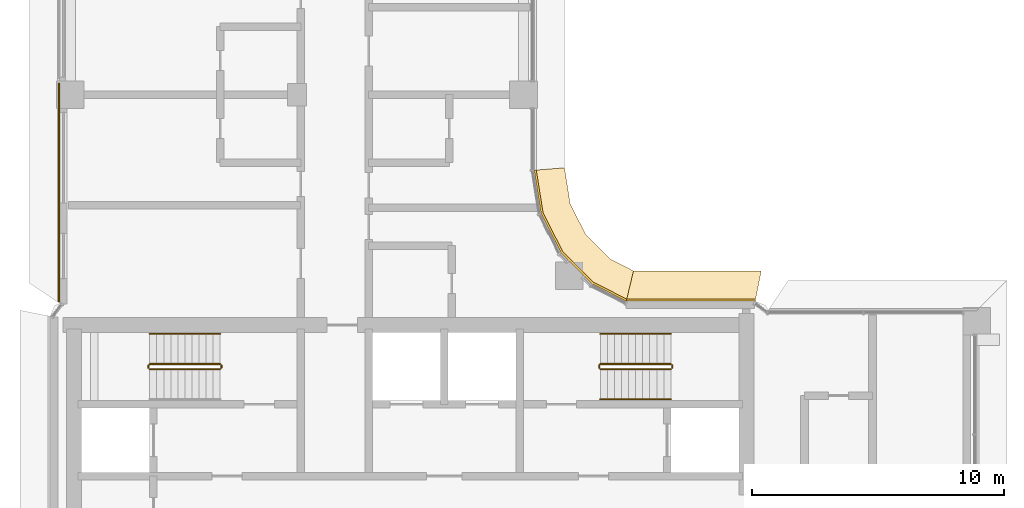
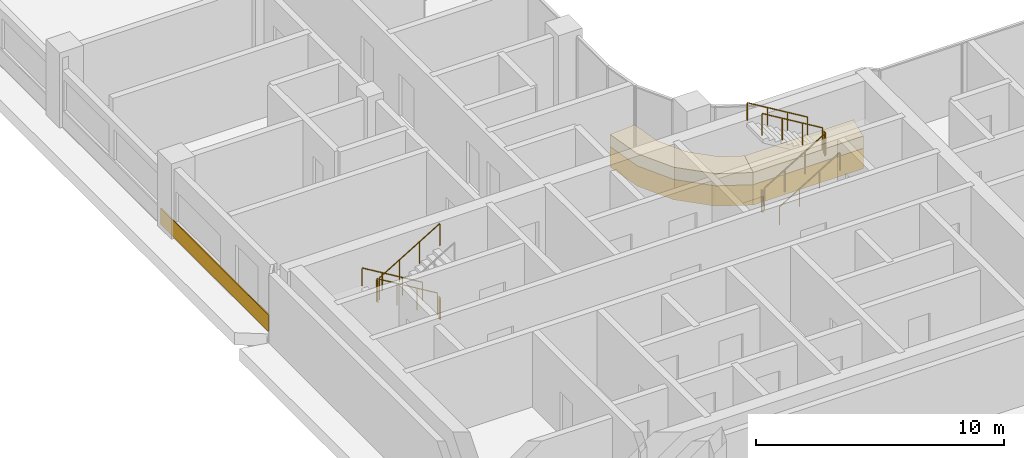
# One storey, part 18 of 24: 11 railings, 5 coverings.
"""IFC4 building model written with IfcOpenShell, lengths in metres."""

from ifc_helpers import new_model, si_unit, direction, frame, origin, origin_2d, place, context, subcontext, project, spatial, polyline, rectangle, circle, outline, extrude, material, layer, layer_set, type_object, element, save


model = new_model("IFC4")

# Units and contexts
model_context = context("Model", 3, precision=1e-05, world=origin(), true_north=direction((0.0, 1.0)))
body_context = subcontext(model_context, "Body", "Model", "MODEL_VIEW")
ifc_project = project(units=[si_unit("LENGTHUNIT", "METRE"), si_unit("AREAUNIT", "SQUARE_METRE"), si_unit("VOLUMEUNIT", "CUBIC_METRE"), si_unit("PLANEANGLEUNIT", "RADIAN"), si_unit("MASSUNIT", "GRAM", prefix="KILO")], contexts=[model_context])

# Site, building, storey
site_placement = place(None, origin())
site = spatial("IfcSite", under=ifc_project, at=site_placement, CompositionType="ELEMENT")
building_placement = place(site_placement, origin())
building = spatial("IfcBuilding", under=site, at=building_placement, Name="Ogive Portal Towers", CompositionType="ELEMENT")
storey_placement = place(building_placement, frame((0.0, 0.0, 153.300048828125)))
storey = spatial("IfcBuildingStorey", under=building, at=storey_placement, Name="L37", CompositionType="ELEMENT", Elevation=153.300048828125)

# Railings
ifc_material_1 = material(Name="Stainless steel balustrade", Category="steel")
railing_type_1 = type_object("IfcRailingType", Name="INT-GUARD", PredefinedType="GUARDRAIL", material=ifc_material_1)
railing_1_placement = place(storey_placement, frame((37.449951171875, 37.800048828125, 0.168212890625)))
element("IfcRailing", 1, at=railing_1_placement, inside=storey, type_object=railing_type_1, Name="L37 ST-A1 stair guard 1", PredefinedType="GUARDRAIL", context=body_context, shape_type="SweptSolid", body=[
    extrude(circle(Radius=0.02392578125, at=origin_2d()), frame((0.0, 0.0, 1.076171875), z_axis=(-0.857275202839, 0.0, 0.514858452973), x_axis=(0.0, -1.0, 0.0)), (0.0, 0.0, 1.0), 3.26611328125),
    extrude(circle(Radius=0.02099609375, at=origin_2d()), origin(), (0.0, 0.0, 1.0), 1.052001953125),
    extrude(circle(Radius=0.02099609375, at=origin_2d()), frame((-0.933349609375, 0.0, 0.560546875)), (0.0, 0.0, 1.0), 1.052001953125),
    extrude(circle(Radius=0.02099609375, at=origin_2d()), frame((-1.86669921875, 0.0, 1.12109375)), (0.0, 0.0, 1.0), 1.052001953125),
    extrude(circle(Radius=0.02099609375, at=origin_2d()), frame((-2.800048828125, 0.0, 1.681640625)), (0.0, 0.0, 1.0), 1.052001953125),
])
railing_2_placement = place(storey_placement, frame((34.60009765625, 37.75, 1.849853515625)))
element("IfcRailing", 2, at=railing_2_placement, inside=storey, type_object=railing_type_1, Name="L37 ST-A1 stair guard 2", PredefinedType="GUARDRAIL", context=body_context, shape_type="SweptSolid", body=[
    extrude(circle(Radius=0.02392578125, at=origin_2d()), frame((0.0, 0.0, 1.076171875), z_axis=(0.0, -1.0, 0.0), x_axis=(1.0, 0.0, 0.0)), (0.0, 0.0, 1.0), 0.10009765625),
    extrude(circle(Radius=0.02099609375, at=origin_2d()), origin(), (0.0, 0.0, 1.0), 1.052001953125),
    extrude(circle(Radius=0.02099609375, at=origin_2d()), frame((0.0, -0.10009765625, 0.0)), (0.0, 0.0, 1.0), 1.052001953125),
])
railing_3_placement = place(storey_placement, frame((34.64990234375, 37.60009765625, 2.01806640625)))
element("IfcRailing", 3, at=railing_3_placement, inside=storey, type_object=railing_type_1, Name="L37 ST-A1 stair guard 3", PredefinedType="GUARDRAIL", context=body_context, shape_type="SweptSolid", body=[
    extrude(circle(Radius=0.02392578125, at=origin_2d()), frame((0.0, 0.0, 1.076171875), z_axis=(0.857242210791, 0.0, 0.514913383045), x_axis=(0.0, 1.0, 0.0)), (0.0, 0.0, 1.0), 3.266357421875),
    extrude(circle(Radius=0.02099609375, at=origin_2d()), origin(), (0.0, 0.0, 1.0), 1.052001953125),
    extrude(circle(Radius=0.02099609375, at=origin_2d()), frame((0.933349609375, 0.0, 0.560546875)), (0.0, 0.0, 1.0), 1.052001953125),
    extrude(circle(Radius=0.02099609375, at=origin_2d()), frame((1.86669921875, 0.0, 1.121337890625)), (0.0, 0.0, 1.0), 1.052001953125),
    extrude(circle(Radius=0.02099609375, at=origin_2d()), frame((2.800048828125, 0.0, 1.681884765625)), (0.0, 0.0, 1.0), 1.052001953125),
])
railing_4_placement = place(storey_placement, frame((37.5, 37.75, 0.0)))
element("IfcRailing", 4, at=railing_4_placement, inside=storey, type_object=railing_type_1, Name="L37 ST-A1 stair guard 4", PredefinedType="GUARDRAIL", context=body_context, shape_type="SweptSolid", body=[
    extrude(circle(Radius=0.02392578125, at=origin_2d()), frame((0.0, 0.0, 1.076171875), z_axis=(0.0, -1.0, 0.0), x_axis=(1.0, 0.0, 0.0)), (0.0, 0.0, 1.0), 0.10009765625),
    extrude(circle(Radius=0.02099609375, at=origin_2d()), origin(), (0.0, 0.0, 1.0), 1.052001953125),
    extrude(circle(Radius=0.02099609375, at=origin_2d()), frame((0.0, -0.10009765625, 0.0)), (0.0, 0.0, 1.0), 1.052001953125),
])
railing_5_placement = place(storey_placement, frame((52.550048828125, 37.60009765625, 0.168212890625)))
element("IfcRailing", 5, at=railing_5_placement, inside=storey, type_object=railing_type_1, Name="L37 ST-A2 stair guard 1", PredefinedType="GUARDRAIL", context=body_context, shape_type="SweptSolid", body=[
    extrude(circle(Radius=0.02392578125, at=origin_2d()), frame((0.0, 0.0, 1.076171875), z_axis=(0.857275202839, 0.0, 0.514858452973), x_axis=(0.0, 1.0, 0.0)), (0.0, 0.0, 1.0), 3.26611328125),
    extrude(circle(Radius=0.02099609375, at=origin_2d()), origin(), (0.0, 0.0, 1.0), 1.052001953125),
    extrude(circle(Radius=0.02099609375, at=origin_2d()), frame((0.933349609375, 0.0, 0.560546875)), (0.0, 0.0, 1.0), 1.052001953125),
    extrude(circle(Radius=0.02099609375, at=origin_2d()), frame((1.86669921875, 0.0, 1.12109375)), (0.0, 0.0, 1.0), 1.052001953125),
    extrude(circle(Radius=0.02099609375, at=origin_2d()), frame((2.800048828125, 0.0, 1.681640625)), (0.0, 0.0, 1.0), 1.052001953125),
])
railing_6_placement = place(storey_placement, frame((55.39990234375, 37.64990234375, 1.849853515625)))
element("IfcRailing", 6, at=railing_6_placement, inside=storey, type_object=railing_type_1, Name="L37 ST-A2 stair guard 2", PredefinedType="GUARDRAIL", context=body_context, shape_type="SweptSolid", body=[
    extrude(circle(Radius=0.02392578125, at=origin_2d()), frame((0.0, 0.0, 1.076171875), z_axis=(0.0, 1.0, 0.0), x_axis=(-1.0, 0.0, 0.0)), (0.0, 0.0, 1.0), 0.10009765625),
    extrude(circle(Radius=0.02099609375, at=origin_2d()), origin(), (0.0, 0.0, 1.0), 1.052001953125),
    extrude(circle(Radius=0.02099609375, at=origin_2d()), frame((0.0, 0.10009765625, 0.0)), (0.0, 0.0, 1.0), 1.052001953125),
])
railing_7_placement = place(storey_placement, frame((55.35009765625, 37.800048828125, 2.01806640625)))
element("IfcRailing", 7, at=railing_7_placement, inside=storey, type_object=railing_type_1, Name="L37 ST-A2 stair guard 3", PredefinedType="GUARDRAIL", context=body_context, shape_type="SweptSolid", body=[
    extrude(circle(Radius=0.02392578125, at=origin_2d()), frame((0.0, 0.0, 1.076171875), z_axis=(-0.857242210791, 0.0, 0.514913383045), x_axis=(0.0, -1.0, 0.0)), (0.0, 0.0, 1.0), 3.266357421875),
    extrude(circle(Radius=0.02099609375, at=origin_2d()), origin(), (0.0, 0.0, 1.0), 1.052001953125),
    extrude(circle(Radius=0.02099609375, at=origin_2d()), frame((-0.933349609375, 0.0, 0.560546875)), (0.0, 0.0, 1.0), 1.052001953125),
    extrude(circle(Radius=0.02099609375, at=origin_2d()), frame((-1.86669921875, 0.0, 1.121337890625)), (0.0, 0.0, 1.0), 1.052001953125),
    extrude(circle(Radius=0.02099609375, at=origin_2d()), frame((-2.800048828125, 0.0, 1.681884765625)), (0.0, 0.0, 1.0), 1.052001953125),
])
railing_8_placement = place(storey_placement, frame((52.5, 37.64990234375, 0.0)))
element("IfcRailing", 8, at=railing_8_placement, inside=storey, type_object=railing_type_1, Name="L37 ST-A2 stair guard 4", PredefinedType="GUARDRAIL", context=body_context, shape_type="SweptSolid", body=[
    extrude(circle(Radius=0.02392578125, at=origin_2d()), frame((0.0, 0.0, 1.076171875), z_axis=(0.0, 1.0, 0.0), x_axis=(-1.0, 0.0, 0.0)), (0.0, 0.0, 1.0), 0.10009765625),
    extrude(circle(Radius=0.02099609375, at=origin_2d()), origin(), (0.0, 0.0, 1.0), 1.052001953125),
    extrude(circle(Radius=0.02099609375, at=origin_2d()), frame((0.0, 0.10009765625, 0.0)), (0.0, 0.0, 1.0), 1.052001953125),
])
ifc_material_2 = material(Name="Stainless steel handrail", Category="steel")
railing_type_2 = type_object("IfcRailingType", Name="INT-HANDRAIL", PredefinedType="HANDRAIL", material=ifc_material_2)
railing_9_placement = place(storey_placement, frame((37.449951171875, 39.0, 0.168212890625)))
element("IfcRailing", 9, at=railing_9_placement, inside=storey, type_object=railing_type_2, Name="L37 ST-A1 stair handrail 1", PredefinedType="HANDRAIL", context=body_context, shape_type="SweptSolid", body=[
    extrude(circle(Radius=0.02392578125, at=origin_2d()), frame((0.0, 0.0, 0.8759765625), z_axis=(-0.857275202839, 0.0, 0.514858452973), x_axis=(0.0, -1.0, 0.0)), (0.0, 0.0, 1.0), 3.26611328125),
    extrude(circle(Radius=0.02099609375, at=origin_2d()), origin(), (0.0, 0.0, 1.0), 0.851806640625),
    extrude(circle(Radius=0.02099609375, at=origin_2d()), frame((-0.933349609375, 0.0, 0.560546875)), (0.0, 0.0, 1.0), 0.851806640625),
    extrude(circle(Radius=0.02099609375, at=origin_2d()), frame((-1.86669921875, 0.0, 1.12109375)), (0.0, 0.0, 1.0), 0.851806640625),
    extrude(circle(Radius=0.02099609375, at=origin_2d()), frame((-2.800048828125, 0.0, 1.681640625)), (0.0, 0.0, 1.0), 0.851806640625),
])
railing_10_placement = place(storey_placement, frame((52.550048828125, 36.39990234375, 0.168212890625)))
element("IfcRailing", 10, at=railing_10_placement, inside=storey, type_object=railing_type_2, Name="L37 ST-A2 stair handrail 1", PredefinedType="HANDRAIL", context=body_context, shape_type="SweptSolid", body=[
    extrude(circle(Radius=0.02392578125, at=origin_2d()), frame((0.0, 0.0, 0.8759765625), z_axis=(0.857275202839, 0.0, 0.514858452973), x_axis=(0.0, 1.0, 0.0)), (0.0, 0.0, 1.0), 3.26611328125),
    extrude(circle(Radius=0.02099609375, at=origin_2d()), origin(), (0.0, 0.0, 1.0), 0.851806640625),
    extrude(circle(Radius=0.02099609375, at=origin_2d()), frame((0.933349609375, 0.0, 0.560546875)), (0.0, 0.0, 1.0), 0.851806640625),
    extrude(circle(Radius=0.02099609375, at=origin_2d()), frame((1.86669921875, 0.0, 1.12109375)), (0.0, 0.0, 1.0), 0.851806640625),
    extrude(circle(Radius=0.02099609375, at=origin_2d()), frame((2.800048828125, 0.0, 1.681640625)), (0.0, 0.0, 1.0), 0.851806640625),
])
railing_11_placement = place(storey_placement, frame((55.35009765625, 39.0, 2.01806640625)))
element("IfcRailing", 11, at=railing_11_placement, inside=storey, type_object=railing_type_2, Name="L37 ST-A2 stair handrail 2", PredefinedType="HANDRAIL", context=body_context, shape_type="SweptSolid", body=[
    extrude(circle(Radius=0.02392578125, at=origin_2d()), frame((0.0, 0.0, 0.8759765625), z_axis=(-0.857242210791, 0.0, 0.514913383045), x_axis=(0.0, -1.0, 0.0)), (0.0, 0.0, 1.0), 3.266357421875),
    extrude(circle(Radius=0.02099609375, at=origin_2d()), origin(), (0.0, 0.0, 1.0), 0.851806640625),
    extrude(circle(Radius=0.02099609375, at=origin_2d()), frame((-0.933349609375, 0.0, 0.560546875)), (0.0, 0.0, 1.0), 0.851806640625),
    extrude(circle(Radius=0.02099609375, at=origin_2d()), frame((-1.86669921875, 0.0, 1.121337890625)), (0.0, 0.0, 1.0), 0.851806640625),
    extrude(circle(Radius=0.02099609375, at=origin_2d()), frame((-2.800048828125, 0.0, 1.681884765625)), (0.0, 0.0, 1.0), 0.851806640625),
])

# Coverings
ifc_material_3 = material(Name="Limestone cladding on lightweight block wall", Category="masonry")
ifc_layer_1 = layer(ifc_material_3, 0.050048828125)
ifc_layer_set_1 = layer_set([ifc_layer_1], Name="SCREEN PERFORATED STONE")
covering_type_1 = type_object("IfcCoveringType", Name="SCREEN PERFORATED STONE", PredefinedType="CLADDING", material=ifc_layer_set_1)
covering_1_placement = place(storey_placement, frame((31.050048828125, 44.615234375, 0.10009765625), z_axis=(0.0, 0.0, 1.0), x_axis=(0.0, -1.0, 0.0)))
element("IfcCovering", 12, at=covering_1_placement, inside=storey, type_object=covering_type_1, Name="Tracery screen", PredefinedType="CLADDING", context=body_context, shape_type="SweptSolid", body=[
    extrude(rectangle(XDim=8.669677734375, YDim=0.050048828125, at=origin_2d()), origin(), (0.0, 0.0, 1.0), 0.800048828125),
])
ifc_layer_2 = layer(ifc_material_3, 0.080078125)
ifc_layer_set_2 = layer_set([ifc_layer_2], Name="STONE SPANDREL 80")
covering_type_2 = type_object("IfcCoveringType", Name="STONE SPANDREL 80", PredefinedType="CLADDING", material=ifc_layer_set_2)
covering_2_placement = place(storey_placement, frame((0.0, 0.0, -1.60009765625)))
element("IfcCovering", 13, at=covering_2_placement, inside=storey, type_object=covering_type_2, Name="Stone spandrel A1-F02", PredefinedType="CLADDING", context=body_context, shape_type="SweptSolid", body=[
    extrude(outline(polyline([(58.699951171875, 40.300048828125), (53.57666015625, 40.300048828125), (53.595947265625, 40.3798828125), (58.7158203125, 40.3798828125), (58.699951171875, 40.300048828125)])), origin(), (0.0, 0.0, 1.0), 1.0),
])
covering_3_placement = place(storey_placement, frame((0.0, 0.0, -1.60009765625)))
element("IfcCovering", 14, at=covering_3_placement, inside=storey, type_object=covering_type_2, Name="Stone spandrel A1-F03", PredefinedType="CLADDING", context=body_context, shape_type="SweptSolid", body=[
    extrude(outline(polyline([(53.57666015625, 40.300048828125), (52.22314453125, 40.98974609375), (50.98974609375, 42.22314453125), (50.19775390625, 43.77734375), (49.925048828125, 45.5), (50.0048828125, 45.50634765625), (50.27490234375, 43.80224609375), (51.05517578125, 42.270751953125), (52.270751953125, 41.05517578125), (53.595947265625, 40.3798828125), (53.57666015625, 40.300048828125)])), origin(), (0.0, 0.0, 1.0), 1.0),
])
ifc_layer_3 = layer(ifc_material_3, 0.60009765625)
ifc_layer_set_3 = layer_set([ifc_layer_3], Name="SUNSHADE LIP 600")
covering_type_3 = type_object("IfcCoveringType", Name="SUNSHADE LIP 600", PredefinedType="CLADDING", material=ifc_layer_set_3)
covering_4_placement = place(storey_placement, frame((0.0, 0.0, -0.60009765625)))
element("IfcCovering", 15, at=covering_4_placement, inside=storey, type_object=covering_type_3, Name="Sunshade lip A1-F02", PredefinedType="CLADDING", context=body_context, shape_type="SweptSolid", body=[
    extrude(outline(polyline([(58.699951171875, 40.300048828125), (53.57666015625, 40.300048828125), (53.86474609375, 41.5), (58.938720703125, 41.5), (58.699951171875, 40.300048828125)])), origin(), (0.0, 0.0, 1.0), 0.60009765625),
])
covering_5_placement = place(storey_placement, frame((0.0, 0.0, -0.60009765625)))
element("IfcCovering", 16, at=covering_5_placement, inside=storey, type_object=covering_type_3, Name="Sunshade lip A1-F03", PredefinedType="CLADDING", context=body_context, shape_type="SweptSolid", body=[
    extrude(outline(polyline([(53.57666015625, 40.300048828125), (52.22314453125, 40.98974609375), (50.98974609375, 42.22314453125), (50.19775390625, 43.77734375), (49.925048828125, 45.5), (51.125, 45.594482421875), (51.353271484375, 44.152587890625), (51.97265625, 42.937255859375), (52.937255859375, 41.97265625), (53.86474609375, 41.5), (53.57666015625, 40.300048828125)])), origin(), (0.0, 0.0, 1.0), 0.60009765625),
])

save(model, "model.ifc")
